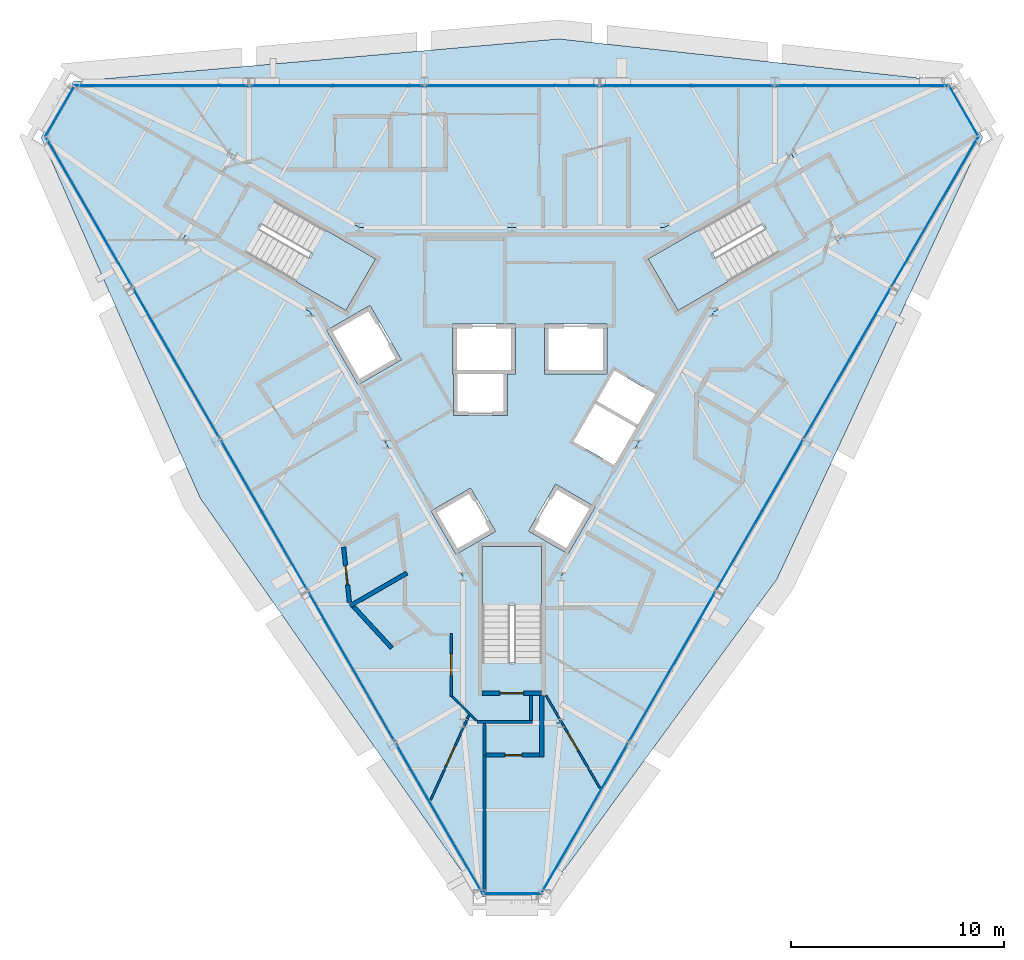
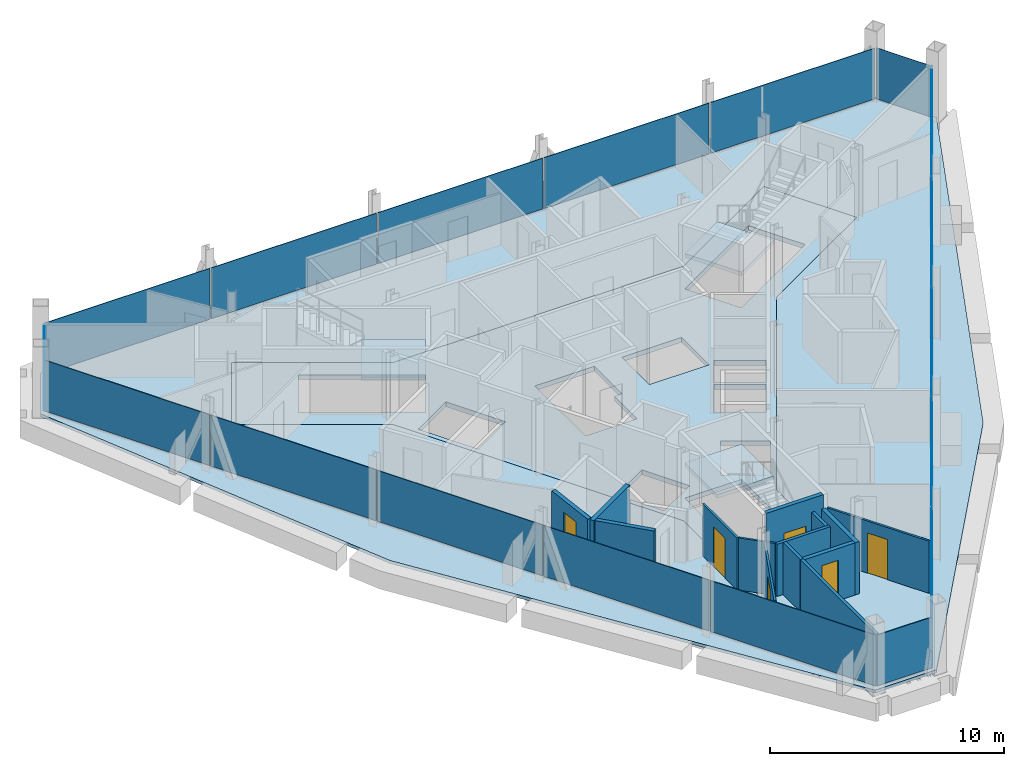
# One storey, part 7 of 13: 18 plates, 14 walls, 6 doors, 5 slabs, 6 openings, 9 elements without a shape of their own.
"""IFC4 building model written with IfcOpenShell, lengths in metres."""

from ifc_helpers import new_model, si_unit, direction, frame, frame_2d, origin, origin_2d, place, context, subcontext, project, spatial, polyline, rectangle, outline, extrude, material, layer, layer_set, type_object, element, fill, aggregate, save


model = new_model("IFC4")

# Units and contexts
model_context = context("Model", 3, precision=1e-05, world=origin(), true_north=direction((0.0, 1.0)))
body_context = subcontext(model_context, "Body", "Model", "MODEL_VIEW")
ifc_project = project(units=[si_unit("LENGTHUNIT", "METRE"), si_unit("AREAUNIT", "SQUARE_METRE"), si_unit("VOLUMEUNIT", "CUBIC_METRE"), si_unit("PLANEANGLEUNIT", "RADIAN"), si_unit("MASSUNIT", "GRAM", prefix="KILO")], contexts=[model_context])

# Site, building, storey
site_placement = place(None, origin())
site = spatial("IfcSite", under=ifc_project, at=site_placement, CompositionType="ELEMENT")
building_placement = place(site_placement, origin())
building = spatial("IfcBuilding", under=site, at=building_placement, Name="Verrane Prism Tower", CompositionType="ELEMENT")
storey_placement = place(building_placement, frame((0.0, 0.0, 282.5)))
storey = spatial("IfcBuildingStorey", under=building, at=storey_placement, Name="L71", CompositionType="ELEMENT", Elevation=282.5)

# Slabs
ifc_material_1 = material(Name="Concrete C35/45", Category="concrete")
ifc_layer_1 = layer(ifc_material_1, 0.159912109375)
ifc_layer_set_1 = layer_set([ifc_layer_1], Name="Composite floor slab")
slab_type_1 = type_object("IfcSlabType", Name="Composite floor slab", PredefinedType="FLOOR", material=ifc_layer_set_1)
slab_1_placement = place(storey_placement, frame((0.0, 0.0, -0.159912109375)))
element("IfcSlab", 1, at=slab_1_placement, inside=storey, type_object=slab_type_1, Name="Floor slab L71", PredefinedType="FLOOR", context=body_context, shape_type="SweptSolid", body=[
    extrude(outline(polyline([(12.454345703125, -9.728515625), (1.51904296875, -24.6689453125), (-1.51904296875, -24.6689453125), (-14.652099609375, -5.921630859375), (-22.12353515625, 11.01904296875), (-20.6044921875, 13.64990234375), (2.19775390625, 15.64990234375), (20.6044921875, 13.64990234375), (22.12353515625, 11.01904296875), (12.454345703125, -9.728515625)]), holes=[polyline([(15.43994140625, 6.260009765625), (13.139892578125, 10.239990234375), (7.179931640625, 6.800048828125), (0.0, 6.800048828125), (-7.179931640625, 6.800048828125), (-13.139892578125, 10.239990234375), (-15.43994140625, 6.260009765625), (-9.47998046875, 2.820068359375), (-5.889892578125, -3.39990234375), (-2.300048828125, -9.6201171875), (-2.300048828125, -16.5), (2.300048828125, -16.5), (2.300048828125, -9.6201171875), (5.889892578125, -3.39990234375), (9.47998046875, 2.820068359375), (15.43994140625, 6.260009765625)])]), origin(), (0.0, 0.0, 1.0), 0.159912109375),
])
ifc_material_2 = material(Name="Concrete C40/50", Category="concrete")
ifc_layer_2 = layer(ifc_material_2, 0.25)
ifc_layer_set_2 = layer_set([ifc_layer_2], Name="Core floor slab 250 concrete C40/50")
slab_type_2 = type_object("IfcSlabType", Name="Core floor slab 250 concrete C40/50", PredefinedType="FLOOR", material=ifc_layer_set_2)
slab_2_placement = place(storey_placement, frame((0.0, 0.0, -0.25)))
element("IfcSlab", 2, at=slab_2_placement, inside=storey, type_object=slab_type_2, Name="Core floor L71", PredefinedType="FLOOR", context=body_context, shape_type="SweptSolid", body=[
    extrude(outline(polyline([(9.47998046875, 2.820068359375), (15.43994140625, 6.260009765625), (13.139892578125, 10.239990234375), (7.179931640625, 6.800048828125), (0.0, 6.800048828125), (-7.179931640625, 6.800048828125), (-13.139892578125, 10.239990234375), (-15.43994140625, 6.260009765625), (-9.47998046875, 2.820068359375), (-5.889892578125, -3.39990234375), (-2.300048828125, -9.6201171875), (-2.300048828125, -16.5), (2.300048828125, -16.5), (2.300048828125, -9.6201171875), (5.889892578125, -3.39990234375), (9.47998046875, 2.820068359375)]), holes=[polyline([(-1.39990234375, -8.199951171875), (1.39990234375, -8.199951171875), (1.39990234375, -13.639892578125), (-1.39990234375, -13.639892578125), (-1.39990234375, -8.199951171875)]), polyline([(-0.76708984375, -7.491943359375), (-2.62890625, -8.56689453125), (-3.803955078125, -6.531982421875), (-1.94189453125, -5.45703125), (-0.76708984375, -7.491943359375)]), polyline([(3.9140625, -6.341064453125), (2.638916015625, -8.550048828125), (0.777099609375, -7.47509765625), (2.052001953125, -5.26611328125), (3.9140625, -6.341064453125)]), polyline([(4.81494140625, -4.37890625), (2.888916015625, -3.26708984375), (3.9130859375, -1.490966796875), (5.841064453125, -2.60302734375), (4.81494140625, -4.37890625)]), polyline([(6.739990234375, -1.044921875), (5.916015625, -2.47412109375), (3.988037109375, -1.361083984375), (4.81396484375, 0.06689453125), (6.739990234375, -1.044921875)]), polyline([(-2.784912109375, -0.10009765625), (-2.784912109375, 2.25), (0.1650390625, 2.25), (0.1650390625, -0.10009765625), (-0.205078125, -0.10009765625), (-0.205078125, -2.050048828125), (-2.7548828125, -2.050048828125), (-2.7548828125, -0.10009765625), (-2.784912109375, -0.10009765625)]), polyline([(4.47509765625, 2.25), (4.47509765625, -0.10009765625), (1.52490234375, -0.10009765625), (1.52490234375, 2.25), (4.47509765625, 2.25)]), polyline([(-8.7041015625, 1.955078125), (-6.66796875, 3.1298828125), (-5.193115234375, 0.574951171875), (-7.22900390625, -0.60009765625), (-8.7041015625, 1.955078125)]), polyline([(-7.801025390625, 2.887939453125), (-12.512939453125, 5.60791015625), (-11.113037109375, 8.031982421875), (-6.40087890625, 5.31201171875), (-7.801025390625, 2.887939453125)]), polyline([(6.40087890625, 5.31201171875), (11.113037109375, 8.031982421875), (12.512939453125, 5.60791015625), (7.801025390625, 2.887939453125), (6.40087890625, 5.31201171875)])]), origin(), (0.0, 0.0, 1.0), 0.25),
])

# Curtain wall, plate
ifc_material_3 = material(Name="Aluminium framed insulated glazing", Category="aluminium")
curtain_wall_type_1 = type_object("IfcCurtainWallType", Name="Curtain wall CW-C 4200 module", PredefinedType="NOTDEFINED", material=ifc_material_3)
curtain_wall_1_placement = place(storey_placement, origin())
curtain_wall_1 = element("IfcCurtainWall", 3, at=curtain_wall_1_placement, inside=storey, type_object=curtain_wall_type_1, Name="Glazed curtain wall north-east corner L71", PredefinedType="NOTDEFINED")
ifc_material_4 = material(Name="Low-iron insulating glass unit", Category="glass")
ifc_layer_3 = layer(ifc_material_4, 0.02392578125)
ifc_layer_set_3 = layer_set([ifc_layer_3], Name="Glazing panel IGU 24")
plate_type_1 = type_object("IfcPlateType", Name="Glazing panel IGU 24", PredefinedType="CURTAIN_PANEL", material=ifc_layer_set_3)
plate_1_placement = place(storey_placement, frame((21.219970703125, 12.280029296875, 0.0498046875), z_axis=(0.0, 0.0, 1.0), x_axis=(-0.500002040855, 0.866024225493, 0.0)))
plate_1 = element("IfcPlate", 4, at=plate_1_placement, type_object=plate_type_1, Name="CW69.1 panel 1", PredefinedType="CURTAIN_PANEL", context=body_context, shape_type="SweptSolid", body=[
    extrude(rectangle(XDim=2.695068359375, YDim=0.02392578125, at=origin_2d()), origin(), (0.0, 0.0, 1.0), 2.673095703125),
])
aggregate(curtain_wall_1, [plate_1])

# Curtain wall, plates
ifc_material_5 = material(Name="Aluminium framed insulated glazing", Category="aluminium")
curtain_wall_type_2 = type_object("IfcCurtainWallType", Name="Curtain wall CW-A 8400 module", PredefinedType="NOTDEFINED", material=ifc_material_5)
curtain_wall_2_placement = place(storey_placement, origin())
curtain_wall_2 = element("IfcCurtainWall", 5, at=curtain_wall_2_placement, inside=storey, type_object=curtain_wall_type_2, Name="Glazed curtain wall north face L71", PredefinedType="NOTDEFINED")
ifc_material_6 = material(Name="Low-iron insulating glass unit", Category="glass")
ifc_layer_4 = layer(ifc_material_6, 0.031982421875)
ifc_layer_set_4 = layer_set([ifc_layer_4], Name="Glazing panel IGU 32")
plate_type_2 = type_object("IfcPlateType", Name="Glazing panel IGU 32", PredefinedType="CURTAIN_PANEL", material=ifc_layer_set_4)
plate_2_placement = place(storey_placement, frame((16.41943359375, 13.447265625, 0.06982421875), z_axis=(0.0, 0.0, 1.0), x_axis=(-1.0, 0.0, 0.0)))
plate_2 = element("IfcPlate", 6, at=plate_2_placement, type_object=plate_type_2, Name="CW69.2 panel 1", PredefinedType="CURTAIN_PANEL", context=body_context, shape_type="SweptSolid", body=[
    extrude(rectangle(XDim=8.113525390625, YDim=0.031982421875, at=origin_2d()), origin(), (0.0, 0.0, 1.0), 2.653076171875),
])
plate_3_placement = place(storey_placement, frame((8.218505859375, 13.447265625, 0.06982421875), z_axis=(0.0, 0.0, 1.0), x_axis=(-1.0, 0.0, 0.0)))
plate_3 = element("IfcPlate", 7, at=plate_3_placement, type_object=plate_type_2, Name="CW69.2 panel 2", PredefinedType="CURTAIN_PANEL", context=body_context, shape_type="SweptSolid", body=[
    extrude(rectangle(XDim=8.1484375, YDim=0.031982421875, at=origin_2d()), origin(), (0.0, 0.0, 1.0), 2.653076171875),
])
plate_4_placement = place(storey_placement, frame((0.0, 13.447265625, 0.06982421875), z_axis=(0.0, 0.0, 1.0), x_axis=(-1.0, 0.0, 0.0)))
plate_4 = element("IfcPlate", 8, at=plate_4_placement, type_object=plate_type_2, Name="CW69.2 panel 3", PredefinedType="CURTAIN_PANEL", context=body_context, shape_type="SweptSolid", body=[
    extrude(rectangle(XDim=8.1484375, YDim=0.031982421875, at=origin_2d()), origin(), (0.0, 0.0, 1.0), 2.653076171875),
])
plate_5_placement = place(storey_placement, frame((-8.218505859375, 13.447265625, 0.06982421875), z_axis=(0.0, 0.0, 1.0), x_axis=(-1.0, 0.0, 0.0)))
plate_5 = element("IfcPlate", 9, at=plate_5_placement, type_object=plate_type_2, Name="CW69.2 panel 4", PredefinedType="CURTAIN_PANEL", context=body_context, shape_type="SweptSolid", body=[
    extrude(rectangle(XDim=8.1484375, YDim=0.031982421875, at=origin_2d()), origin(), (0.0, 0.0, 1.0), 2.653076171875),
])
plate_6_placement = place(storey_placement, frame((-16.454345703125, 13.447265625, 0.06982421875), z_axis=(0.0, 0.0, 1.0), x_axis=(-1.0, 0.0, 0.0)))
plate_6 = element("IfcPlate", 10, at=plate_6_placement, type_object=plate_type_2, Name="CW69.2 panel 5", PredefinedType="CURTAIN_PANEL", context=body_context, shape_type="SweptSolid", body=[
    extrude(rectangle(XDim=8.183349609375, YDim=0.031982421875, at=origin_2d()), origin(), (0.0, 0.0, 1.0), 2.653076171875),
])
aggregate(curtain_wall_2, [plate_2, plate_3, plate_4, plate_5, plate_6])

# Curtain wall, plate
curtain_wall_3_placement = place(storey_placement, origin())
curtain_wall_3 = element("IfcCurtainWall", 11, at=curtain_wall_3_placement, inside=storey, type_object=curtain_wall_type_2, Name="Glazed curtain wall north-west corner L71", PredefinedType="NOTDEFINED")
plate_7_placement = place(storey_placement, frame((-21.25, 12.228271484375, 0.06982421875), z_axis=(0.0, 0.0, 1.0), x_axis=(-0.500002040855, -0.866024225493, 0.0)))
plate_7 = element("IfcPlate", 12, at=plate_7_placement, type_object=plate_type_2, Name="CW69.3 panel 1", PredefinedType="CURTAIN_PANEL", context=body_context, shape_type="SweptSolid", body=[
    extrude(rectangle(XDim=2.67529296875, YDim=0.031982421875, at=origin_2d()), origin(), (0.0, 0.0, 1.0), 2.653076171875),
])
aggregate(curtain_wall_3, [plate_7])

# Curtain wall, plates
curtain_wall_4_placement = place(storey_placement, origin())
curtain_wall_4 = element("IfcCurtainWall", 13, at=curtain_wall_4_placement, inside=storey, type_object=curtain_wall_type_2, Name="Glazed curtain wall south-west face L71", PredefinedType="NOTDEFINED")
plate_8_placement = place(storey_placement, frame((-19.855224609375, 7.495849609375, 0.06982421875), z_axis=(0.0, 0.0, 1.0), x_axis=(0.500000938868, -0.866024861728, 0.0)))
plate_8 = element("IfcPlate", 14, at=plate_8_placement, type_object=plate_type_2, Name="CW69.4 panel 1", PredefinedType="CURTAIN_PANEL", context=body_context, shape_type="SweptSolid", body=[
    extrude(rectangle(XDim=8.113525390625, YDim=0.031982421875, at=origin_2d()), origin(), (0.0, 0.0, 1.0), 2.653076171875),
])
plate_9_placement = place(storey_placement, frame((-15.7548828125, 0.393798828125, 0.06982421875), z_axis=(0.0, 0.0, 1.0), x_axis=(0.500000938868, -0.866024861728, 0.0)))
plate_9 = element("IfcPlate", 15, at=plate_9_placement, type_object=plate_type_2, Name="CW69.4 panel 2", PredefinedType="CURTAIN_PANEL", context=body_context, shape_type="SweptSolid", body=[
    extrude(rectangle(XDim=8.1484375, YDim=0.031982421875, at=origin_2d()), origin(), (0.0, 0.0, 1.0), 2.653076171875),
])
plate_10_placement = place(storey_placement, frame((-11.645751953125, -6.7236328125, 0.06982421875), z_axis=(0.0, 0.0, 1.0), x_axis=(0.500000938868, -0.866024861728, 0.0)))
plate_10 = element("IfcPlate", 16, at=plate_10_placement, type_object=plate_type_2, Name="CW69.4 panel 3", PredefinedType="CURTAIN_PANEL", context=body_context, shape_type="SweptSolid", body=[
    extrude(rectangle(XDim=8.1484375, YDim=0.031982421875, at=origin_2d()), origin(), (0.0, 0.0, 1.0), 2.653076171875),
])
plate_11_placement = place(storey_placement, frame((-7.536376953125, -13.841064453125, 0.06982421875), z_axis=(0.0, 0.0, 1.0), x_axis=(0.500000938868, -0.866024861728, 0.0)))
plate_11 = element("IfcPlate", 17, at=plate_11_placement, type_object=plate_type_2, Name="CW69.4 panel 4", PredefinedType="CURTAIN_PANEL", context=body_context, shape_type="SweptSolid", body=[
    extrude(rectangle(XDim=8.1484375, YDim=0.031982421875, at=origin_2d()), origin(), (0.0, 0.0, 1.0), 2.653076171875),
])
plate_12_placement = place(storey_placement, frame((-3.41845703125, -20.973388671875, 0.06982421875), z_axis=(0.0, 0.0, 1.0), x_axis=(0.500000938868, -0.866024861728, 0.0)))
plate_12 = element("IfcPlate", 18, at=plate_12_placement, type_object=plate_type_2, Name="CW69.4 panel 5", PredefinedType="CURTAIN_PANEL", context=body_context, shape_type="SweptSolid", body=[
    extrude(rectangle(XDim=8.183349609375, YDim=0.031982421875, at=origin_2d()), origin(), (0.0, 0.0, 1.0), 2.653076171875),
])
aggregate(curtain_wall_4, [plate_8, plate_9, plate_10, plate_11, plate_12])

# Curtain wall, plate
curtain_wall_5_placement = place(storey_placement, origin())
curtain_wall_5 = element("IfcCurtainWall", 19, at=curtain_wall_5_placement, inside=storey, type_object=curtain_wall_type_2, Name="Glazed curtain wall south corner L71", PredefinedType="NOTDEFINED")
plate_13_placement = place(storey_placement, frame((0.034912109375, -24.51708984375, 0.06982421875), z_axis=(0.0, 0.0, 1.0), x_axis=(1.0, 0.0, 0.0)))
plate_13 = element("IfcPlate", 20, at=plate_13_placement, type_object=plate_type_2, Name="CW69.5 panel 1", PredefinedType="CURTAIN_PANEL", context=body_context, shape_type="SweptSolid", body=[
    extrude(rectangle(XDim=2.67529296875, YDim=0.031982421875, at=origin_2d()), origin(), (0.0, 0.0, 1.0), 2.653076171875),
])
aggregate(curtain_wall_5, [plate_13])

# Curtain wall, plates
curtain_wall_6_placement = place(storey_placement, origin())
curtain_wall_6 = element("IfcCurtainWall", 21, at=curtain_wall_6_placement, inside=storey, type_object=curtain_wall_type_2, Name="Glazed curtain wall south-east face L71", PredefinedType="NOTDEFINED")
plate_14_placement = place(storey_placement, frame((3.43603515625, -20.943115234375, 0.06982421875), z_axis=(0.0, 0.0, 1.0), x_axis=(0.500000938868, 0.866024861728, 0.0)))
plate_14 = element("IfcPlate", 22, at=plate_14_placement, type_object=plate_type_2, Name="CW69.6 panel 1", PredefinedType="CURTAIN_PANEL", context=body_context, shape_type="SweptSolid", body=[
    extrude(rectangle(XDim=8.113525390625, YDim=0.031982421875, at=origin_2d()), origin(), (0.0, 0.0, 1.0), 2.653076171875),
])
plate_15_placement = place(storey_placement, frame((7.536376953125, -13.841064453125, 0.06982421875), z_axis=(0.0, 0.0, 1.0), x_axis=(0.500000938868, 0.866024861728, 0.0)))
plate_15 = element("IfcPlate", 23, at=plate_15_placement, type_object=plate_type_2, Name="CW69.6 panel 2", PredefinedType="CURTAIN_PANEL", context=body_context, shape_type="SweptSolid", body=[
    extrude(rectangle(XDim=8.1484375, YDim=0.031982421875, at=origin_2d()), origin(), (0.0, 0.0, 1.0), 2.653076171875),
])
plate_16_placement = place(storey_placement, frame((11.645751953125, -6.7236328125, 0.06982421875), z_axis=(0.0, 0.0, 1.0), x_axis=(0.500000938868, 0.866024861728, 0.0)))
plate_16 = element("IfcPlate", 24, at=plate_16_placement, type_object=plate_type_2, Name="CW69.6 panel 3", PredefinedType="CURTAIN_PANEL", context=body_context, shape_type="SweptSolid", body=[
    extrude(rectangle(XDim=8.1484375, YDim=0.031982421875, at=origin_2d()), origin(), (0.0, 0.0, 1.0), 2.653076171875),
])
plate_17_placement = place(storey_placement, frame((15.7548828125, 0.393798828125, 0.06982421875), z_axis=(0.0, 0.0, 1.0), x_axis=(0.500000938868, 0.866024861728, 0.0)))
plate_17 = element("IfcPlate", 25, at=plate_17_placement, type_object=plate_type_2, Name="CW69.6 panel 4", PredefinedType="CURTAIN_PANEL", context=body_context, shape_type="SweptSolid", body=[
    extrude(rectangle(XDim=8.1484375, YDim=0.031982421875, at=origin_2d()), origin(), (0.0, 0.0, 1.0), 2.653076171875),
])
plate_18_placement = place(storey_placement, frame((19.872802734375, 7.5263671875, 0.06982421875), z_axis=(0.0, 0.0, 1.0), x_axis=(0.500000938868, 0.866024861728, 0.0)))
plate_18 = element("IfcPlate", 26, at=plate_18_placement, type_object=plate_type_2, Name="CW69.6 panel 5", PredefinedType="CURTAIN_PANEL", context=body_context, shape_type="SweptSolid", body=[
    extrude(rectangle(XDim=8.183349609375, YDim=0.031982421875, at=origin_2d()), origin(), (0.0, 0.0, 1.0), 2.653076171875),
])
aggregate(curtain_wall_6, [plate_14, plate_15, plate_16, plate_17, plate_18])

# Stair, slab
ifc_material_7 = material(Name="Concrete C40/50", Category="concrete")
stair_type = type_object("IfcStairType", Name="Exit stair 1300 dog-leg precast concrete C40/50", PredefinedType="HALF_TURN_STAIR", material=ifc_material_7)
stair_1_placement = place(storey_placement, origin())
stair_1 = element("IfcStair", 27, at=stair_1_placement, inside=storey, type_object=stair_type, Name="Stair 1 L71", PredefinedType="HALF_TURN_STAIR")
ifc_material_8 = material(Name="Concrete C40/50", Category="concrete")
ifc_layer_5 = layer(ifc_material_8, 0.199951171875)
ifc_layer_set_5 = layer_set([ifc_layer_5], Name="Stair landing 200 precast concrete C40/50")
slab_type_3 = type_object("IfcSlabType", Name="Stair landing 200 precast concrete C40/50", PredefinedType="LANDING", material=ifc_layer_set_5)
slab_3_placement = place(storey_placement, frame((0.0, 0.0, 1.64990234375)))
slab_3 = element("IfcSlab", 28, at=slab_3_placement, type_object=slab_type_3, Name="Stair 1 landing 1", PredefinedType="LANDING", context=body_context, shape_type="SweptSolid", body=[
    extrude(outline(polyline([(8.791748046875, 6.6923828125), (6.4013671875, 5.3125), (7.801513671875, 2.887451171875), (10.191650390625, 4.267578125), (8.791748046875, 6.6923828125)])), origin(), (0.0, 0.0, 1.0), 0.2001953125),
])
aggregate(stair_1, [slab_3])

stair_2_placement = place(storey_placement, origin())
stair_2 = element("IfcStair", 29, at=stair_2_placement, inside=storey, type_object=stair_type, Name="Stair 2 L71", PredefinedType="HALF_TURN_STAIR")
slab_4_placement = place(storey_placement, frame((0.0, 0.0, 1.64990234375)))
slab_4 = element("IfcSlab", 30, at=slab_4_placement, type_object=slab_type_3, Name="Stair 2 landing 1", PredefinedType="LANDING", context=body_context, shape_type="SweptSolid", body=[
    extrude(outline(polyline([(-10.191650390625, 4.267578125), (-7.801513671875, 2.887451171875), (-6.4013671875, 5.3125), (-8.791748046875, 6.6923828125), (-10.191650390625, 4.267578125)])), origin(), (0.0, 0.0, 1.0), 0.2001953125),
])
aggregate(stair_2, [slab_4])

stair_3_placement = place(storey_placement, origin())
stair_3 = element("IfcStair", 31, at=stair_3_placement, inside=storey, type_object=stair_type, Name="Stair 3 L71", PredefinedType="HALF_TURN_STAIR")
slab_5_placement = place(storey_placement, frame((0.0, 0.0, 1.64990234375)))
slab_5 = element("IfcSlab", 32, at=slab_5_placement, type_object=slab_type_3, Name="Stair 3 landing 1", PredefinedType="LANDING", context=body_context, shape_type="SweptSolid", body=[
    extrude(outline(polyline([(1.39990234375, -10.9599609375), (1.39990234375, -8.199951171875), (-1.39990234375, -8.199951171875), (-1.39990234375, -10.9599609375), (1.39990234375, -10.9599609375)])), origin(), (0.0, 0.0, 1.0), 0.2001953125),
])
aggregate(stair_3, [slab_5])

# Wall, opening, door
ifc_material_9 = material(Name="Concrete C40/50", Category="concrete")
ifc_layer_6 = layer(ifc_material_9, 0.199951171875)
ifc_layer_set_6 = layer_set([ifc_layer_6], Name="CW-200 stair core wall concrete C40/50 3 h")
wall_type_1 = type_object("IfcWallType", Name="CW-200 stair core wall concrete C40/50 3 h", PredefinedType="PARTITIONING", material=ifc_layer_set_6)
wall_1_placement = place(storey_placement, frame((-1.39990234375, -15.10009765625, 0.0), z_axis=(0.0, 0.0, 1.0), x_axis=(1.0, 0.0, 0.0)))
wall_1 = element("IfcWall", 33, at=wall_1_placement, inside=storey, type_object=wall_type_1, Name="Stair 3 enclosure wall", PredefinedType="PARTITIONING", context=body_context, shape_type="SweptSolid", body=[
    extrude(rectangle(XDim=2.7998046875, YDim=0.199951171875, at=frame_2d((1.39990234375, 0.0))), origin(), (0.0, 0.0, 1.0), 3.449951171875),
])
opening_1_placement = place(wall_1_placement, frame((0.85009765625, 0.0, 0.0)))
opening_1 = element("IfcOpeningElement", 34, at=opening_1_placement, cuts=wall_1, Name="Opening D69502", PredefinedType="OPENING", context=body_context, shape_type="SweptSolid", body=[
    extrude(rectangle(XDim=1.10009765625, YDim=2.10009765625, at=frame_2d((0.550048828125, 1.050048828125))), frame((0.0, 0.10986328125, 0.0), z_axis=(0.0, -1.0, 0.0), x_axis=(1.0, 0.0, 0.0)), (0.0, 0.0, 1.0), 0.219970703125),
])
ifc_material_10 = material(Name="Timber veneered door leaf", Category="wood")
door_type_1 = type_object("IfcDoorType", Name="DR-1100x2100 FD90 single leaf stair", OperationType="NOTDEFINED", PredefinedType="DOOR", material=ifc_material_10)
door_1_placement = place(opening_1_placement, origin())
door_1 = element("IfcDoor", 35, at=door_1_placement, inside=storey, type_object=door_type_1, Name="Stair 3 door", OperationType="SINGLE_SWING_LEFT", OverallHeight=2.10009765625, OverallWidth=1.10009765625, PredefinedType="DOOR", context=body_context, shape_type="SweptSolid", body=[
    extrude(rectangle(XDim=1.10009765625, YDim=2.10009765625, at=frame_2d((0.550048828125, 1.050048828125))), frame((0.0, 0.02490234375, 0.0), z_axis=(0.0, -1.0, 0.0), x_axis=(1.0, 0.0, 0.0)), (0.0, 0.0, 1.0), 0.050048828125),
])
fill(opening_1, door_1)

ifc_material_11 = material(Name="Gypsum board partition", Category="other")
ifc_layer_7 = layer(ifc_material_11, 0.10009765625)
ifc_layer_set_7 = layer_set([ifc_layer_7], Name="PW-100 room partition")
wall_type_2 = type_object("IfcWallType", Name="PW-100 room partition", PredefinedType="PARTITIONING", material=ifc_layer_set_7)
wall_2_placement = place(storey_placement, frame((-2.018798828125, -16.126953125, 0.0), z_axis=(0.0, 0.0, 1.0), x_axis=(-0.411876718461, -0.911239578151, 0.0)))
wall_2 = element("IfcWall", 36, at=wall_2_placement, inside=storey, type_object=wall_type_2, Name="Room partition 031", PredefinedType="PARTITIONING", context=body_context, shape_type="SweptSolid", body=[
    extrude(rectangle(XDim=4.375732421875, YDim=0.10009765625, at=frame_2d((2.18798828125, 0.0))), origin(), (0.0, 0.0, 1.0), 2.722900390625),
])
opening_2_placement = place(wall_2_placement, frame((1.5908203125, 0.0, 0.0)))
opening_2 = element("IfcOpeningElement", 37, at=opening_2_placement, cuts=wall_2, Name="Opening D69026", PredefinedType="OPENING", context=body_context, shape_type="SweptSolid", body=[
    extrude(rectangle(XDim=1.0, YDim=2.10009765625, at=frame_2d((0.5, 1.050048828125))), frame((0.0, 0.06005859375, 0.0), z_axis=(0.0, -1.0, 0.0), x_axis=(1.0, 0.0, 0.0)), (0.0, 0.0, 1.0), 0.1201171875),
])
ifc_material_12 = material(Name="Timber veneered door leaf", Category="wood")
door_type_2 = type_object("IfcDoorType", Name="DR-1000x2100 single leaf inner", OperationType="NOTDEFINED", PredefinedType="DOOR", material=ifc_material_12)
door_2_placement = place(opening_2_placement, origin())
door_2 = element("IfcDoor", 38, at=door_2_placement, inside=storey, type_object=door_type_2, Name="Living And Dining Room door", OperationType="SINGLE_SWING_LEFT", OverallHeight=2.10009765625, OverallWidth=1.0, PredefinedType="DOOR", context=body_context, shape_type="SweptSolid", body=[
    extrude(rectangle(XDim=1.0, YDim=2.10009765625, at=frame_2d((0.5, 1.050048828125))), frame((0.0, 0.02490234375, 0.0), z_axis=(0.0, -1.0, 0.0), x_axis=(1.0, 0.0, 0.0)), (0.0, 0.0, 1.0), 0.050048828125),
])
fill(opening_2, door_2)

wall_3_placement = place(storey_placement, frame((-2.85009765625, -15.25, 0.0), z_axis=(0.0, 0.0, 1.0), x_axis=(0.0, 1.0, 0.0)))
wall_3 = element("IfcWall", 39, at=wall_3_placement, inside=storey, type_object=wall_type_2, Name="Room partition 035", PredefinedType="PARTITIONING", context=body_context, shape_type="SweptSolid", body=[
    extrude(rectangle(XDim=2.9609375, YDim=0.10009765625, at=frame_2d((1.48046875, 0.0))), origin(), (0.0, 0.0, 1.0), 2.722900390625),
])
opening_3_placement = place(wall_3_placement, frame((1.0, 0.0, 0.0)))
opening_3 = element("IfcOpeningElement", 40, at=opening_3_placement, cuts=wall_3, Name="Opening D69024", PredefinedType="OPENING", context=body_context, shape_type="SweptSolid", body=[
    extrude(rectangle(XDim=1.0, YDim=2.10009765625, at=frame_2d((0.5, 1.050048828125))), frame((0.0, 0.06005859375, 0.0), z_axis=(0.0, -1.0, 0.0), x_axis=(1.0, 0.0, 0.0)), (0.0, 0.0, 1.0), 0.1201171875),
])
door_3_placement = place(opening_3_placement, origin())
door_3 = element("IfcDoor", 41, at=door_3_placement, inside=storey, type_object=door_type_2, Name="Entrance Foyer door", OperationType="SINGLE_SWING_RIGHT", OverallHeight=2.10009765625, OverallWidth=1.0, PredefinedType="DOOR", context=body_context, shape_type="SweptSolid", body=[
    extrude(rectangle(XDim=1.0, YDim=2.10009765625, at=frame_2d((0.5, 1.050048828125))), frame((0.0, 0.02490234375, 0.0), z_axis=(0.0, -1.0, 0.0), x_axis=(1.0, 0.0, 0.0)), (0.0, 0.0, 1.0), 0.050048828125),
])
fill(opening_3, door_3)

# Wall
wall_4_placement = place(storey_placement, frame((-2.800537109375, -15.24951171875, 0.0), z_axis=(0.0, 0.0, 1.0), x_axis=(0.707106781187, -0.707106781187, 0.0)))
element("IfcWall", 42, at=wall_4_placement, inside=storey, type_object=wall_type_2, Name="Room partition 036", PredefinedType="PARTITIONING", context=body_context, shape_type="SweptSolid", body=[
    extrude(rectangle(XDim=1.60791015625, YDim=0.10009765625, at=frame_2d((0.803955078125, 0.0))), origin(), (0.0, 0.0, 1.0), 2.722900390625),
])

# Wall, opening, door
wall_5_placement = place(storey_placement, frame((4.137451171875, -19.55712890625, 0.0), z_axis=(0.0, 0.0, 1.0), x_axis=(-0.503229634544, 0.864152726615, 0.0)))
wall_5 = element("IfcWall", 43, at=wall_5_placement, inside=storey, type_object=wall_type_2, Name="Room partition 045", PredefinedType="PARTITIONING", context=body_context, shape_type="SweptSolid", body=[
    extrude(rectangle(XDim=5.042236328125, YDim=0.10009765625, at=frame_2d((2.52099609375, 0.0))), origin(), (0.0, 0.0, 1.0), 2.722900390625),
])
opening_4_placement = place(wall_5_placement, frame((2.042236328125, 0.0, 0.0)))
opening_4 = element("IfcOpeningElement", 44, at=opening_4_placement, cuts=wall_5, Name="Opening D69004", PredefinedType="OPENING", context=body_context, shape_type="SweptSolid", body=[
    extrude(rectangle(XDim=1.0, YDim=2.10009765625, at=frame_2d((0.5, 1.050048828125))), frame((0.0, 0.06005859375, 0.0), z_axis=(0.0, -1.0, 0.0), x_axis=(1.0, 0.0, 0.0)), (0.0, 0.0, 1.0), 0.1201171875),
])
door_4_placement = place(opening_4_placement, origin())
door_4 = element("IfcDoor", 45, at=door_4_placement, inside=storey, type_object=door_type_2, Name="Study door", OperationType="SINGLE_SWING_LEFT", OverallHeight=2.10009765625, OverallWidth=1.0, PredefinedType="DOOR", context=body_context, shape_type="SweptSolid", body=[
    extrude(rectangle(XDim=1.0, YDim=2.10009765625, at=frame_2d((0.5, 1.050048828125))), frame((0.0, 0.02490234375, 0.0), z_axis=(0.0, -1.0, 0.0), x_axis=(1.0, 0.0, 0.0)), (0.0, 0.0, 1.0), 0.050048828125),
])
fill(opening_4, door_4)

# Walls
ifc_material_13 = material(Name="Gypsum board partition", Category="other")
ifc_layer_8 = layer(ifc_material_13, 0.14990234375)
ifc_layer_set_8 = layer_set([ifc_layer_8], Name="PW-150 demising wall 1 h")
wall_type_3 = type_object("IfcWallType", Name="PW-150 demising wall 1 h", PredefinedType="PARTITIONING", material=ifc_layer_set_8)
wall_6_placement = place(storey_placement, frame((-1.64990234375, -16.449951171875, 0.0), z_axis=(0.0, 0.0, 1.0), x_axis=(1.0, 0.0, 0.0)))
element("IfcWall", 46, at=wall_6_placement, inside=storey, type_object=wall_type_3, Name="Demising wall 037", PredefinedType="PARTITIONING", context=body_context, shape_type="SweptSolid", body=[
    extrude(rectangle(XDim=2.625, YDim=0.14990234375, at=frame_2d((1.3125, 0.0))), origin(), (0.0, 0.0, 1.0), 2.722900390625),
])
wall_7_placement = place(storey_placement, frame((-1.285888671875, -24.4208984375, 0.0), z_axis=(0.0, 0.0, 1.0), x_axis=(0.0, 1.0, 0.0)))
element("IfcWall", 47, at=wall_7_placement, inside=storey, type_object=wall_type_3, Name="Demising wall 038", PredefinedType="PARTITIONING", context=body_context, shape_type="SweptSolid", body=[
    extrude(rectangle(XDim=6.416015625, YDim=0.14990234375, at=frame_2d((3.2080078125, 0.0))), origin(), (0.0, 0.0, 1.0), 2.722900390625),
])
wall_8_placement = place(storey_placement, frame((-1.285888671875, -18.0, 0.0), z_axis=(0.0, 0.0, 1.0), x_axis=(0.0, 1.0, 0.0)))
element("IfcWall", 48, at=wall_8_placement, inside=storey, type_object=wall_type_3, Name="Demising wall 039", PredefinedType="PARTITIONING", context=body_context, shape_type="SweptSolid", body=[
    extrude(rectangle(XDim=1.47509765625, YDim=0.14990234375, at=frame_2d((0.737548828125, 0.0))), origin(), (0.0, 0.0, 1.0), 2.722900390625),
])
wall_9_placement = place(storey_placement, frame((0.89990234375, -16.375, 0.0), z_axis=(0.0, 0.0, 1.0), x_axis=(0.0, 1.0, 0.0)))
element("IfcWall", 49, at=wall_9_placement, inside=storey, type_object=wall_type_3, Name="Demising wall 041", PredefinedType="PARTITIONING", context=body_context, shape_type="SweptSolid", body=[
    extrude(rectangle(XDim=1.175048828125, YDim=0.14990234375, at=frame_2d((0.58740234375, 0.0))), origin(), (0.0, 0.0, 1.0), 2.722900390625),
])

# Wall, opening, door
ifc_material_14 = material(Name="Gypsum board partition", Category="other")
ifc_layer_9 = layer(ifc_material_14, 0.199951171875)
ifc_layer_set_9 = layer_set([ifc_layer_9], Name="PW-200 plumbing wall")
wall_type_4 = type_object("IfcWallType", Name="PW-200 plumbing wall", PredefinedType="PARTITIONING", material=ifc_layer_set_9)
wall_10_placement = place(storey_placement, frame((-7.90673828125, -8.234619140625, 0.0), z_axis=(0.0, 0.0, 1.0), x_axis=(0.103623353624, -0.994616609847, 0.0)))
wall_10 = element("IfcWall", 50, at=wall_10_placement, inside=storey, type_object=wall_type_4, Name="Plumbing wall 019", PredefinedType="PARTITIONING", context=body_context, shape_type="SweptSolid", body=[
    extrude(rectangle(XDim=2.622314453125, YDim=0.199951171875, at=frame_2d((1.31103515625, 0.0))), origin(), (0.0, 0.0, 1.0), 2.722900390625),
])
opening_5_placement = place(wall_10_placement, frame((0.8798828125, 0.0, 0.0)))
opening_5 = element("IfcOpeningElement", 51, at=opening_5_placement, cuts=wall_10, Name="Opening D69025", PredefinedType="OPENING", context=body_context, shape_type="SweptSolid", body=[
    extrude(rectangle(XDim=0.89990234375, YDim=2.10009765625, at=frame_2d((0.449951171875, 1.050048828125))), frame((0.0, 0.10986328125, 0.0), z_axis=(0.0, -1.0, 0.0), x_axis=(1.0, 0.0, 0.0)), (0.0, 0.0, 1.0), 0.219970703125),
])
ifc_material_15 = material(Name="Timber veneered door leaf", Category="wood")
door_type_3 = type_object("IfcDoorType", Name="DR-900x2100 single leaf inner", OperationType="NOTDEFINED", PredefinedType="DOOR", material=ifc_material_15)
door_5_placement = place(opening_5_placement, origin())
door_5 = element("IfcDoor", 52, at=door_5_placement, inside=storey, type_object=door_type_3, Name="Kitchen door", OperationType="SINGLE_SWING_LEFT", OverallHeight=2.10009765625, OverallWidth=0.89990234375, PredefinedType="DOOR", context=body_context, shape_type="SweptSolid", body=[
    extrude(rectangle(XDim=0.89990234375, YDim=2.10009765625, at=frame_2d((0.449951171875, 1.050048828125))), frame((0.0, 0.02490234375, 0.0), z_axis=(0.0, -1.0, 0.0), x_axis=(1.0, 0.0, 0.0)), (0.0, 0.0, 1.0), 0.050048828125),
])
fill(opening_5, door_5)

# Walls
wall_11_placement = place(storey_placement, frame((-7.43408203125, -11.03173828125, 0.0), z_axis=(0.0, 0.0, 1.0), x_axis=(0.678387636859, -0.734704167782, 0.0)))
element("IfcWall", 53, at=wall_11_placement, inside=storey, type_object=wall_type_4, Name="Plumbing wall 021", PredefinedType="PARTITIONING", context=body_context, shape_type="SweptSolid", body=[
    extrude(rectangle(XDim=2.64013671875, YDim=0.199951171875, at=frame_2d((1.320068359375, 0.0))), origin(), (0.0, 0.0, 1.0), 2.722900390625),
])
wall_12_placement = place(storey_placement, frame((-7.605712890625, -10.989990234375, 0.0), z_axis=(0.0, 0.0, 1.0), x_axis=(0.865956409518, 0.500119482538, 0.0)))
element("IfcWall", 54, at=wall_12_placement, inside=storey, type_object=wall_type_4, Name="Plumbing wall 022", PredefinedType="PARTITIONING", context=body_context, shape_type="SweptSolid", body=[
    extrude(rectangle(XDim=3.087158203125, YDim=0.199951171875, at=frame_2d((1.54345703125, 0.0))), origin(), (0.0, 0.0, 1.0), 2.722900390625),
])

# Wall, opening, door
wall_13_placement = place(storey_placement, frame((-1.2109375, -18.0, 0.0), z_axis=(0.0, 0.0, 1.0), x_axis=(1.0, 0.0, 0.0)))
wall_13 = element("IfcWall", 55, at=wall_13_placement, inside=storey, type_object=wall_type_4, Name="Plumbing wall 040", PredefinedType="PARTITIONING", context=body_context, shape_type="SweptSolid", body=[
    extrude(rectangle(XDim=2.510986328125, YDim=0.199951171875, at=frame_2d((1.25537109375, 0.0))), origin(), (0.0, 0.0, 1.0), 2.722900390625),
])
opening_6_placement = place(wall_13_placement, frame((0.875, 0.0, 0.0)))
opening_6 = element("IfcOpeningElement", 56, at=opening_6_placement, cuts=wall_13, Name="Opening D69005", PredefinedType="OPENING", context=body_context, shape_type="SweptSolid", body=[
    extrude(rectangle(XDim=0.800048828125, YDim=2.10009765625, at=frame_2d((0.39990234375, 1.050048828125))), frame((0.0, 0.10986328125, 0.0), z_axis=(0.0, -1.0, 0.0), x_axis=(1.0, 0.0, 0.0)), (0.0, 0.0, 1.0), 0.219970703125),
])
ifc_material_16 = material(Name="Timber veneered door leaf", Category="wood")
door_type_4 = type_object("IfcDoorType", Name="DR-800x2100 single leaf bath", OperationType="NOTDEFINED", PredefinedType="DOOR", material=ifc_material_16)
door_6_placement = place(opening_6_placement, origin())
door_6 = element("IfcDoor", 57, at=door_6_placement, inside=storey, type_object=door_type_4, Name="Master Bathroom door", OperationType="SINGLE_SWING_LEFT", OverallHeight=2.10009765625, OverallWidth=0.800048828125, PredefinedType="DOOR", context=body_context, shape_type="SweptSolid", body=[
    extrude(rectangle(XDim=0.800048828125, YDim=2.10009765625, at=frame_2d((0.39990234375, 1.050048828125))), frame((0.0, 0.02490234375, 0.0), z_axis=(0.0, -1.0, 0.0), x_axis=(1.0, 0.0, 0.0)), (0.0, 0.0, 1.0), 0.050048828125),
])
fill(opening_6, door_6)

# Wall
wall_14_placement = place(storey_placement, frame((1.39990234375, -18.10009765625, 0.0), z_axis=(0.0, 0.0, 1.0), x_axis=(0.0, 1.0, 0.0)))
element("IfcWall", 58, at=wall_14_placement, inside=storey, type_object=wall_type_4, Name="Plumbing wall 043", PredefinedType="PARTITIONING", context=body_context, shape_type="SweptSolid", body=[
    extrude(rectangle(XDim=2.900146484375, YDim=0.199951171875, at=frame_2d((1.4501953125, 0.0))), origin(), (0.0, 0.0, 1.0), 2.722900390625),
])

save(model, "model.ifc")
